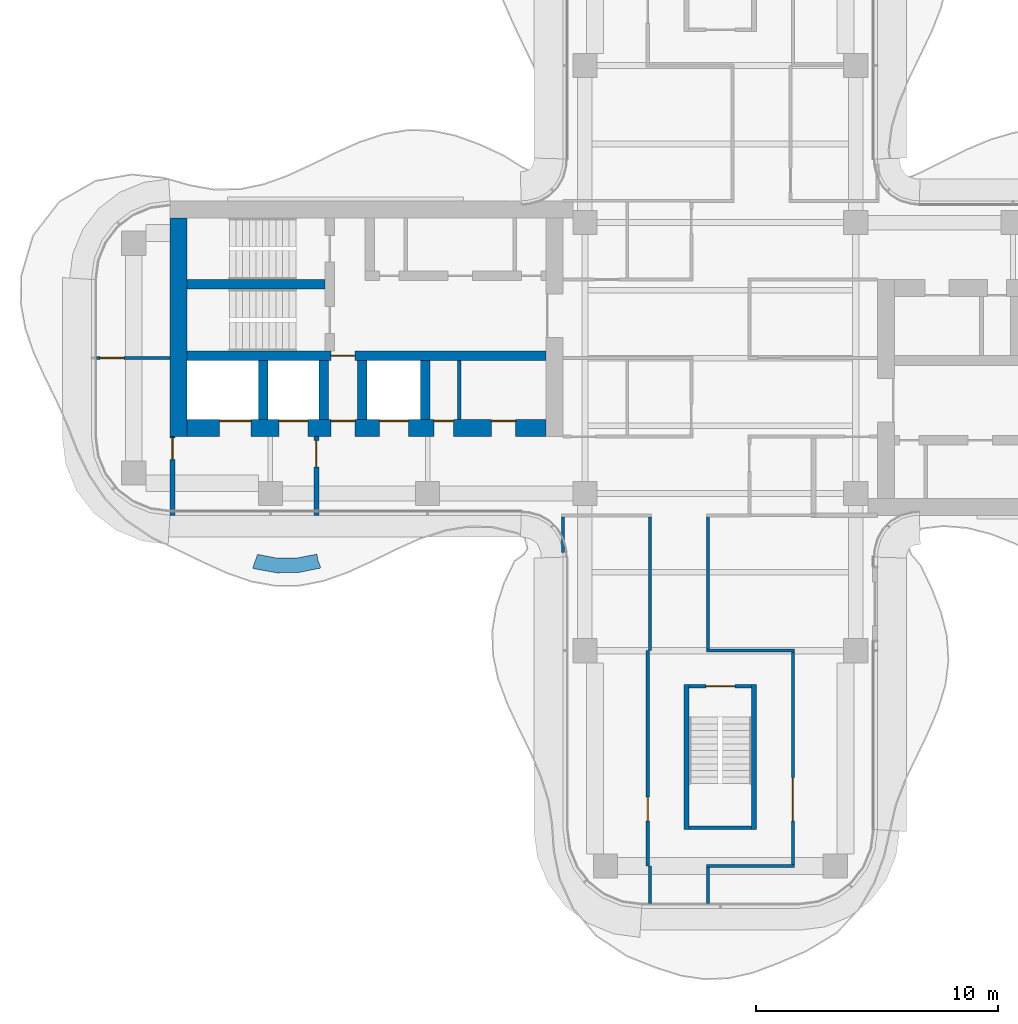
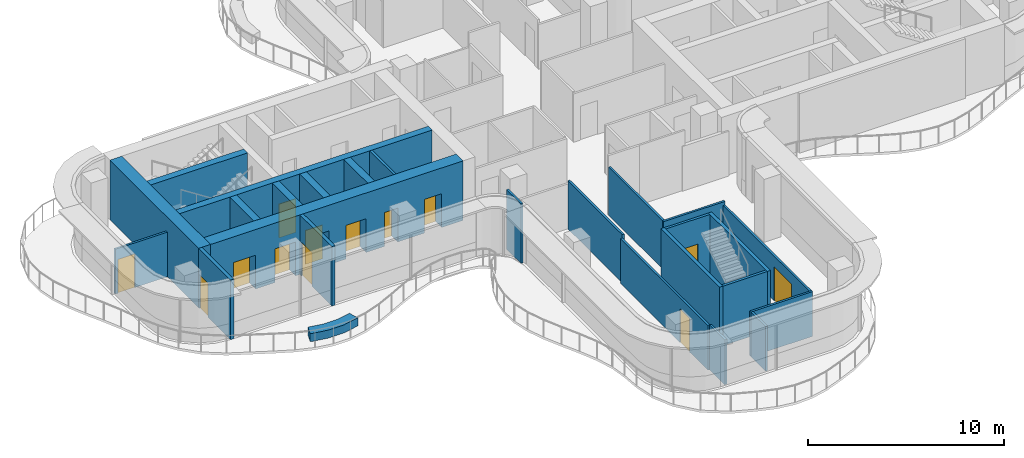
# One storey, part 11 of 16: 26 walls, 13 doors, 13 openings.
"""IFC4 building model written with IfcOpenShell, lengths in metres."""

from ifc_helpers import new_model, si_unit, direction, frame, frame_2d, origin, place, context, subcontext, project, spatial, polyline, rectangle, outline, extrude, source, transform, mapped, material, layer, layer_set, type_object, element, fill, save


model = new_model("IFC4")

# Units and contexts
model_context = context("Model", 3, precision=1e-05, world=origin(), true_north=direction((0.0, 1.0)))
body_context = subcontext(model_context, "Body", "Model", "MODEL_VIEW")
ifc_project = project(units=[si_unit("LENGTHUNIT", "METRE"), si_unit("AREAUNIT", "SQUARE_METRE"), si_unit("VOLUMEUNIT", "CUBIC_METRE"), si_unit("PLANEANGLEUNIT", "RADIAN"), si_unit("MASSUNIT", "GRAM", prefix="KILO")], contexts=[model_context])

# Site, building, storey
site_placement = place(None, origin())
site = spatial("IfcSite", under=ifc_project, at=site_placement, CompositionType="ELEMENT")
building_placement = place(site_placement, origin())
building = spatial("IfcBuilding", under=site, at=building_placement, Name="Trellis Farm Tower", CompositionType="ELEMENT")
storey_placement = place(building_placement, frame((0.0, 0.0, 314.5)))
storey = spatial("IfcBuildingStorey", under=building, at=storey_placement, Name="L71", CompositionType="ELEMENT", Elevation=314.5)

# Walls
ifc_material_1 = material(Name="Sandstone faced masonry planter", Category="masonry")
ifc_layer_1 = layer(ifc_material_1, 0.60009765625)
ifc_layer_set_1 = layer_set([ifc_layer_1], Name="PLANTER BED 600")
wall_type_1 = type_object("IfcWallType", Name="PLANTER BED 600", PredefinedType="USERDEFINED", material=ifc_layer_set_1)
wall_1_placement = place(storey_placement, origin())
element("IfcWall", 1, at=wall_1_placement, inside=storey, type_object=wall_type_1, Name="PLANTER bed", ObjectType="PLANTER", PredefinedType="USERDEFINED", context=body_context, shape_type="SweptSolid", body=[
    extrude(outline(polyline([(-16.517578125, -8.6826171875), (-17.452880859375, -8.87060546875), (-18.346435546875, -8.877685546875), (-19.222412109375, -8.720703125), (-19.330078125, -8.68408203125), (-19.13720703125, -8.115966796875), (-18.29541015625, -8.277099609375), (-17.513671875, -8.27099609375), (-16.6806640625, -8.107421875), (-16.651611328125, -8.25439453125), (-16.668212890625, -8.259033203125), (-16.517578125, -8.6826171875)])), origin(), (0.0, 0.0, 1.0), 0.5),
])
ifc_material_2 = material(Name="Concrete C50/60", Category="concrete")
ifc_layer_2 = layer(ifc_material_2, 0.699951171875)
ifc_layer_set_2 = layer_set([ifc_layer_2], Name="CORE OUTER WALL 700 CONCRETE C50/60")
wall_type_2 = type_object("IfcWallType", Name="CORE OUTER WALL 700 CONCRETE C50/60", PredefinedType="SHEAR", material=ifc_layer_set_2)
shared_shape_1 = source(origin(), body_context, "Body", "SweptSolid", [
    extrude(rectangle(XDim=9.050048828125, YDim=0.699951171875, at=frame_2d((4.52490234375, 0.0))), origin(), (0.0, 0.0, 1.0), 3.699951171875),
])
wall_2_placement = place(storey_placement, frame((-22.39990234375, 5.800048828125, 0.0), z_axis=(0.0, 0.0, 1.0), x_axis=(0.0, -1.0, 0.0)))
element("IfcWall", 2, at=wall_2_placement, inside=storey, type_object=wall_type_2, Name="Core wall", PredefinedType="SHEAR", context=body_context, shape_type="MappedRepresentation", body=[
    mapped(shared_shape_1, transform((0.0, 0.0, 0.0))),
])
ifc_layer_3 = layer(ifc_material_2, 0.39990234375)
ifc_layer_set_3 = layer_set([ifc_layer_3], Name="CORE INNER WALL 400 CONCRETE C50/60")
wall_type_3 = type_object("IfcWallType", Name="CORE INNER WALL 400 CONCRETE C50/60", PredefinedType="SHEAR", material=ifc_layer_set_3)
shared_shape_2 = source(origin(), body_context, "Body", "SweptSolid", [
    extrude(rectangle(XDim=2.449951171875, YDim=0.39990234375, at=frame_2d((1.22509765625, 0.0))), origin(), (0.0, 0.0, 1.0), 3.699951171875),
])
for number, where, z_axis, x_axis, name in (
    (3, (-12.199951171875, -0.10009765625, 0.0), (0.0, 0.0, 1.0), (0.0, -1.0, 0.0), "Core wall"),
    (4, (-14.800048828125, -0.10009765625, 0.0), (0.0, 0.0, 1.0), (0.0, -1.0, 0.0), "Core wall"),
    (5, (-16.39990234375, -0.10009765625, 0.0), (0.0, 0.0, 1.0), (0.0, -1.0, 0.0), "Core wall"),
    (6, (-18.89990234375, -0.10009765625, 0.0), (0.0, 0.0, 1.0), (0.0, -1.0, 0.0), "Core wall"),
):
    element("IfcWall", number, at=place(storey_placement, frame(where, z_axis=z_axis, x_axis=x_axis)), inside=storey, type_object=wall_type_3, Name=name, PredefinedType="SHEAR", context=body_context, shape_type="MappedRepresentation", body=[
        mapped(shared_shape_2, transform((0.0, 0.0, 0.0))),
    ])

# Wall, opening, door
ifc_material_3 = material(Name="Masonry blockwork", Category="masonry")
ifc_layer_4 = layer(ifc_material_3, 0.199951171875)
ifc_layer_set_4 = layer_set([ifc_layer_4], Name="FIRE LOBBY PARTITION 200 BLOCKWORK")
wall_type_4 = type_object("IfcWallType", Name="FIRE LOBBY PARTITION 200 BLOCKWORK", PredefinedType="PARTITIONING", material=ifc_layer_set_4)
shared_shape_3 = source(origin(), body_context, "Body", "SweptSolid", [
    extrude(rectangle(XDim=3.25, YDim=0.199951171875, at=frame_2d((1.625, 0.0))), origin(), (0.0, 0.0, 1.0), 3.699951171875),
])
wall_3_placement = place(storey_placement, frame((-16.699951171875, -3.25, 0.0), z_axis=(0.0, 0.0, 1.0), x_axis=(0.0, -1.0, 0.0)))
wall_3 = element("IfcWall", 7, at=wall_3_placement, inside=storey, type_object=wall_type_4, Name="Fire-fighting lobby partition", PredefinedType="PARTITIONING", context=body_context, shape_type="MappedRepresentation", body=[
    mapped(shared_shape_3, transform((0.0, 0.0, 0.0))),
])
shared_shape_4 = source(origin(), body_context, "Body", "SweptSolid", [
    extrude(rectangle(XDim=1.10009765625, YDim=2.10009765625, at=frame_2d((0.550048828125, 1.050048828125))), frame((0.0, 0.110107421875, 0.0), z_axis=(0.0, -1.0, 0.0), x_axis=(1.0, 0.0, 0.0)), (0.0, 0.0, 1.0), 0.22021484375),
])
opening_1_placement = place(wall_3_placement, frame((0.14990234375, 0.0, 0.0)))
opening_1 = element("IfcOpeningElement", 8, at=opening_1_placement, cuts=wall_3, Name="Opening DC93", PredefinedType="OPENING", context=body_context, shape_type="MappedRepresentation", body=[
    mapped(shared_shape_4, transform((0.0, 0.0, 0.0))),
])
ifc_material_4 = material(Name="Steel", Category="steel")
door_type_1 = type_object("IfcDoorType", Name="CORE FIRE DOOR 1100 X 2100", OperationType="NOTDEFINED", PredefinedType="DOOR", material=ifc_material_4)
shared_shape_5 = source(origin(), body_context, "Body", "SweptSolid", [
    extrude(rectangle(XDim=1.10009765625, YDim=2.10009765625, at=frame_2d((0.550048828125, 1.050048828125))), frame((0.0, 0.02490234375, 0.0), z_axis=(0.0, -1.0, 0.0), x_axis=(1.0, 0.0, 0.0)), (0.0, 0.0, 1.0), 0.050048828125),
])
door_1_placement = place(opening_1_placement, origin())
door_1 = element("IfcDoor", 9, at=door_1_placement, inside=storey, type_object=door_type_1, Name="Core door", OperationType="SINGLE_SWING_RIGHT", OverallHeight=2.10009765625, OverallWidth=1.10009765625, PredefinedType="DOOR", context=body_context, shape_type="MappedRepresentation", body=[
    mapped(shared_shape_5, transform((0.0, 0.0, 0.0))),
])
fill(opening_1, door_1)

wall_4_placement = place(storey_placement, frame((-22.64990234375, -3.25, 0.0), z_axis=(0.0, 0.0, 1.0), x_axis=(0.0, -1.0, 0.0)))
wall_4 = element("IfcWall", 10, at=wall_4_placement, inside=storey, type_object=wall_type_4, Name="Fire-fighting lobby partition", PredefinedType="PARTITIONING", context=body_context, shape_type="MappedRepresentation", body=[
    mapped(shared_shape_3, transform((0.0, 0.0, 0.0))),
])
shared_shape_6 = source(origin(), body_context, "Body", "SweptSolid", [
    extrude(rectangle(XDim=0.89990234375, YDim=2.10009765625, at=frame_2d((0.449951171875, 1.050048828125))), frame((0.0, 0.110107421875, 0.0), z_axis=(0.0, -1.0, 0.0), x_axis=(1.0, 0.0, 0.0)), (0.0, 0.0, 1.0), 0.22021484375),
])
opening_2_placement = place(wall_4_placement, frame((0.050048828125, 0.0, 0.0)))
opening_2 = element("IfcOpeningElement", 11, at=opening_2_placement, cuts=wall_4, Name="Opening DC94", PredefinedType="OPENING", context=body_context, shape_type="MappedRepresentation", body=[
    mapped(shared_shape_6, transform((0.0, 0.0, 0.0))),
])
door_type_2 = type_object("IfcDoorType", Name="CORE FIRE DOOR 900 X 2100", OperationType="NOTDEFINED", PredefinedType="DOOR", material=ifc_material_4)
shared_shape_7 = source(origin(), body_context, "Body", "SweptSolid", [
    extrude(rectangle(XDim=0.89990234375, YDim=2.10009765625, at=frame_2d((0.449951171875, 1.050048828125))), frame((0.0, 0.02490234375, 0.0), z_axis=(0.0, -1.0, 0.0), x_axis=(1.0, 0.0, 0.0)), (0.0, 0.0, 1.0), 0.050048828125),
])
door_2_placement = place(opening_2_placement, origin())
door_2 = element("IfcDoor", 12, at=door_2_placement, inside=storey, type_object=door_type_2, Name="Core door", OperationType="SINGLE_SWING_RIGHT", OverallHeight=2.10009765625, OverallWidth=0.89990234375, PredefinedType="DOOR", context=body_context, shape_type="MappedRepresentation", body=[
    mapped(shared_shape_7, transform((0.0, 0.0, 0.0))),
])
fill(opening_2, door_2)

# Wall, openings, doors
shared_shape_8 = source(origin(), body_context, "Body", "SweptSolid", [
    extrude(rectangle(XDim=14.85009765625, YDim=0.699951171875, at=frame_2d((7.425048828125, 0.0))), origin(), (0.0, 0.0, 1.0), 3.699951171875),
])
wall_5_placement = place(storey_placement, frame((-7.199951171875, -2.89990234375, 0.0), z_axis=(0.0, 0.0, 1.0), x_axis=(-1.0, 0.0, 0.0)))
wall_5 = element("IfcWall", 13, at=wall_5_placement, inside=storey, type_object=wall_type_2, Name="Core wall", PredefinedType="SHEAR", context=body_context, shape_type="MappedRepresentation", body=[
    mapped(shared_shape_8, transform((0.0, 0.0, 0.0))),
])
shared_shape_9 = source(origin(), body_context, "Body", "SweptSolid", [
    extrude(rectangle(XDim=1.199951171875, YDim=2.10009765625, at=frame_2d((0.60009765625, 1.050048828125))), frame((0.0, 0.360107421875, 0.0), z_axis=(0.0, -1.0, 0.0), x_axis=(1.0, 0.0, 0.0)), (0.0, 0.0, 1.0), 0.72021484375),
])
opening_3_placement = place(wall_5_placement, frame((5.699951171875, 0.0, 0.0)))
opening_3 = element("IfcOpeningElement", 14, at=opening_3_placement, cuts=wall_5, Name="Opening LD14", PredefinedType="OPENING", context=body_context, shape_type="MappedRepresentation", body=[
    mapped(shared_shape_9, transform((0.0, 0.0, 0.0))),
])
shared_shape_10 = source(origin(), body_context, "Body", "SweptSolid", [
    extrude(rectangle(XDim=1.300048828125, YDim=2.10009765625, at=frame_2d((0.64990234375, 1.050048828125))), frame((0.0, 0.360107421875, 0.0), z_axis=(0.0, -1.0, 0.0), x_axis=(1.0, 0.0, 0.0)), (0.0, 0.0, 1.0), 0.72021484375),
])
opening_4_placement = place(wall_5_placement, frame((12.199951171875, 0.0, 0.0)))
opening_4 = element("IfcOpeningElement", 15, at=opening_4_placement, cuts=wall_5, Name="Opening LD15", PredefinedType="OPENING", context=body_context, shape_type="MappedRepresentation", body=[
    mapped(shared_shape_10, transform((0.0, 0.0, 0.0))),
])
opening_5_placement = place(wall_5_placement, frame((9.85009765625, 0.0, 0.0)))
opening_5 = element("IfcOpeningElement", 16, at=opening_5_placement, cuts=wall_5, Name="Opening LD16", PredefinedType="OPENING", context=body_context, shape_type="MappedRepresentation", body=[
    mapped(shared_shape_9, transform((0.0, 0.0, 0.0))),
])
shared_shape_11 = source(origin(), body_context, "Body", "SweptSolid", [
    extrude(rectangle(XDim=1.0, YDim=2.10009765625, at=frame_2d((0.5, 1.050048828125))), frame((0.0, 0.360107421875, 0.0), z_axis=(0.0, -1.0, 0.0), x_axis=(1.0, 0.0, 0.0)), (0.0, 0.0, 1.0), 0.72021484375),
])
opening_6_placement = place(wall_5_placement, frame((7.89990234375, 0.0, 0.0)))
opening_6 = element("IfcOpeningElement", 17, at=opening_6_placement, cuts=wall_5, Name="Opening DC92", PredefinedType="OPENING", context=body_context, shape_type="MappedRepresentation", body=[
    mapped(shared_shape_11, transform((0.0, 0.0, 0.0))),
])
opening_7_placement = place(wall_5_placement, frame((1.262451171875, 0.0, 0.0)))
opening_7 = element("IfcOpeningElement", 18, at=opening_7_placement, cuts=wall_5, Name="Opening DC100", PredefinedType="OPENING", context=body_context, shape_type="MappedRepresentation", body=[
    mapped(shared_shape_11, transform((0.0, 0.0, 0.0))),
])
shared_shape_12 = source(origin(), body_context, "Body", "SweptSolid", [
    extrude(rectangle(XDim=0.800048828125, YDim=2.10009765625, at=frame_2d((0.39990234375, 1.050048828125))), frame((0.0, 0.360107421875, 0.0), z_axis=(0.0, -1.0, 0.0), x_axis=(1.0, 0.0, 0.0)), (0.0, 0.0, 1.0), 0.72021484375),
])
opening_8_placement = place(wall_5_placement, frame((3.83740234375, 0.0, 0.0)))
opening_8 = element("IfcOpeningElement", 19, at=opening_8_placement, cuts=wall_5, Name="Opening DC101", PredefinedType="OPENING", context=body_context, shape_type="MappedRepresentation", body=[
    mapped(shared_shape_12, transform((0.0, 0.0, 0.0))),
])
door_type_3 = type_object("IfcDoorType", Name="CORE FIRE DOOR 1000 X 2100", OperationType="NOTDEFINED", PredefinedType="DOOR", material=ifc_material_4)
shared_shape_13 = source(origin(), body_context, "Body", "SweptSolid", [
    extrude(rectangle(XDim=1.0, YDim=2.10009765625, at=frame_2d((0.5, 1.050048828125))), frame((0.0, -0.27490234375, 0.0), z_axis=(0.0, -1.0, 0.0), x_axis=(1.0, 0.0, 0.0)), (0.0, 0.0, 1.0), 0.050048828125),
])
door_3_placement = place(opening_6_placement, origin())
door_3 = element("IfcDoor", 20, at=door_3_placement, inside=storey, type_object=door_type_3, Name="Core door", OperationType="SINGLE_SWING_LEFT", OverallHeight=2.10009765625, OverallWidth=1.0, PredefinedType="DOOR", context=body_context, shape_type="MappedRepresentation", body=[
    mapped(shared_shape_13, transform((0.0, 0.0, 0.0))),
])
fill(opening_6, door_3)
door_4_placement = place(opening_7_placement, origin())
door_4 = element("IfcDoor", 21, at=door_4_placement, inside=storey, type_object=door_type_3, Name="Core door", OperationType="SINGLE_SWING_RIGHT", OverallHeight=2.10009765625, OverallWidth=1.0, PredefinedType="DOOR", context=body_context, shape_type="MappedRepresentation", body=[
    mapped(shared_shape_13, transform((0.0, 0.0, 0.0))),
])
fill(opening_7, door_4)
ifc_material_5 = material(Name="Stainless steel", Category="steel")
door_type_4 = type_object("IfcDoorType", Name="LIFT LANDING DOOR 1300 X 2100", OperationType="DOUBLE_DOOR_SLIDING", PredefinedType="DOOR", material=ifc_material_5)
shared_shape_14 = source(origin(), body_context, "Body", "SweptSolid", [
    extrude(rectangle(XDim=1.300048828125, YDim=2.10009765625, at=frame_2d((0.64990234375, 1.050048828125))), frame((0.0, -0.27490234375, 0.0), z_axis=(0.0, -1.0, 0.0), x_axis=(1.0, 0.0, 0.0)), (0.0, 0.0, 1.0), 0.050048828125),
])
door_5_placement = place(opening_4_placement, origin())
door_5 = element("IfcDoor", 22, at=door_5_placement, inside=storey, type_object=door_type_4, Name="Lift landing door", OperationType="DOUBLE_DOOR_SLIDING", OverallHeight=2.10009765625, OverallWidth=1.300048828125, PredefinedType="DOOR", context=body_context, shape_type="MappedRepresentation", body=[
    mapped(shared_shape_14, transform((0.0, 0.0, 0.0))),
])
fill(opening_4, door_5)
door_type_5 = type_object("IfcDoorType", Name="LIFT LANDING DOOR 1200 X 2100", OperationType="DOUBLE_DOOR_SLIDING", PredefinedType="DOOR", material=ifc_material_5)
shared_shape_15 = source(origin(), body_context, "Body", "SweptSolid", [
    extrude(rectangle(XDim=1.199951171875, YDim=2.10009765625, at=frame_2d((0.60009765625, 1.050048828125))), frame((0.0, -0.27490234375, 0.0), z_axis=(0.0, -1.0, 0.0), x_axis=(1.0, 0.0, 0.0)), (0.0, 0.0, 1.0), 0.050048828125),
])
door_6_placement = place(opening_3_placement, origin())
door_6 = element("IfcDoor", 23, at=door_6_placement, inside=storey, type_object=door_type_5, Name="Lift landing door", OperationType="DOUBLE_DOOR_SLIDING", OverallHeight=2.10009765625, OverallWidth=1.199951171875, PredefinedType="DOOR", context=body_context, shape_type="MappedRepresentation", body=[
    mapped(shared_shape_15, transform((0.0, 0.0, 0.0))),
])
fill(opening_3, door_6)
door_7_placement = place(opening_5_placement, origin())
door_7 = element("IfcDoor", 24, at=door_7_placement, inside=storey, type_object=door_type_5, Name="Lift landing door", OperationType="DOUBLE_DOOR_SLIDING", OverallHeight=2.10009765625, OverallWidth=1.199951171875, PredefinedType="DOOR", context=body_context, shape_type="MappedRepresentation", body=[
    mapped(shared_shape_15, transform((0.0, 0.0, 0.0))),
])
fill(opening_5, door_7)
door_type_6 = type_object("IfcDoorType", Name="CORE FIRE DOOR 800 X 2100", OperationType="NOTDEFINED", PredefinedType="DOOR", material=ifc_material_4)
shared_shape_16 = source(origin(), body_context, "Body", "SweptSolid", [
    extrude(rectangle(XDim=0.800048828125, YDim=2.10009765625, at=frame_2d((0.39990234375, 1.050048828125))), frame((0.0, -0.27490234375, 0.0), z_axis=(0.0, -1.0, 0.0), x_axis=(1.0, 0.0, 0.0)), (0.0, 0.0, 1.0), 0.050048828125),
])
door_8_placement = place(opening_8_placement, origin())
door_8 = element("IfcDoor", 25, at=door_8_placement, inside=storey, type_object=door_type_6, Name="Core door", OperationType="SINGLE_SWING_LEFT", OverallHeight=2.10009765625, OverallWidth=0.800048828125, PredefinedType="DOOR", context=body_context, shape_type="MappedRepresentation", body=[
    mapped(shared_shape_16, transform((0.0, 0.0, 0.0))),
])
fill(opening_8, door_8)

# Wall, opening, door
shared_shape_17 = source(origin(), body_context, "Body", "SweptSolid", [
    extrude(rectangle(XDim=14.85009765625, YDim=0.39990234375, at=frame_2d((7.425048828125, 0.0))), origin(), (0.0, 0.0, 1.0), 3.699951171875),
])
wall_6_placement = place(storey_placement, frame((-7.199951171875, 0.10009765625, 0.0), z_axis=(0.0, 0.0, 1.0), x_axis=(-1.0, 0.0, 0.0)))
wall_6 = element("IfcWall", 26, at=wall_6_placement, inside=storey, type_object=wall_type_3, Name="Core wall", PredefinedType="SHEAR", context=body_context, shape_type="MappedRepresentation", body=[
    mapped(shared_shape_17, transform((0.0, 0.0, 0.0))),
])
shared_shape_18 = source(origin(), body_context, "Body", "SweptSolid", [
    extrude(rectangle(XDim=1.0, YDim=2.10009765625, at=frame_2d((0.5, 1.050048828125))), frame((0.0, 0.2099609375, 0.0), z_axis=(0.0, -1.0, 0.0), x_axis=(1.0, 0.0, 0.0)), (0.0, 0.0, 1.0), 0.419921875),
])
opening_9_placement = place(wall_6_placement, frame((7.89990234375, 0.0, 0.0)))
opening_9 = element("IfcOpeningElement", 27, at=opening_9_placement, cuts=wall_6, Name="Opening DC91", PredefinedType="OPENING", context=body_context, shape_type="MappedRepresentation", body=[
    mapped(shared_shape_18, transform((0.0, 0.0, 0.0))),
])
shared_shape_19 = source(origin(), body_context, "Body", "SweptSolid", [
    extrude(rectangle(XDim=1.0, YDim=2.10009765625, at=frame_2d((0.5, 1.050048828125))), frame((0.0, 0.02490234375, 0.0), z_axis=(0.0, -1.0, 0.0), x_axis=(1.0, 0.0, 0.0)), (0.0, 0.0, 1.0), 0.050048828125),
])
door_9_placement = place(opening_9_placement, origin())
door_9 = element("IfcDoor", 28, at=door_9_placement, inside=storey, type_object=door_type_3, Name="Core door", OperationType="SINGLE_SWING_RIGHT", OverallHeight=2.10009765625, OverallWidth=1.0, PredefinedType="DOOR", context=body_context, shape_type="MappedRepresentation", body=[
    mapped(shared_shape_19, transform((0.0, 0.0, 0.0))),
])
fill(opening_9, door_9)

# Walls
shared_shape_20 = source(origin(), body_context, "Body", "SweptSolid", [
    extrude(rectangle(XDim=5.699951171875, YDim=0.39990234375, at=frame_2d((2.85009765625, 0.0))), origin(), (0.0, 0.0, 1.0), 3.699951171875),
])
wall_7_placement = place(storey_placement, frame((-16.35009765625, 3.050048828125, 0.0), z_axis=(0.0, 0.0, 1.0), x_axis=(-1.0, 0.0, 0.0)))
element("IfcWall", 29, at=wall_7_placement, inside=storey, type_object=wall_type_3, Name="Core wall", PredefinedType="SHEAR", context=body_context, shape_type="MappedRepresentation", body=[
    mapped(shared_shape_20, transform((0.0, 0.0, 0.0))),
])
ifc_layer_5 = layer(ifc_material_3, 0.14990234375)
ifc_layer_set_5 = layer_set([ifc_layer_5], Name="CORE PARTITION 150 BLOCKWORK")
wall_type_5 = type_object("IfcWallType", Name="CORE PARTITION 150 BLOCKWORK", PredefinedType="PARTITIONING", material=ifc_layer_set_5)
shared_shape_21 = source(origin(), body_context, "Body", "SweptSolid", [
    extrude(rectangle(XDim=2.449951171875, YDim=0.14990234375, at=frame_2d((1.22509765625, 0.0))), origin(), (0.0, 0.0, 1.0), 3.699951171875),
])
wall_8_placement = place(storey_placement, frame((-10.800048828125, -0.10009765625, 0.0), z_axis=(0.0, 0.0, 1.0), x_axis=(0.0, -1.0, 0.0)))
element("IfcWall", 30, at=wall_8_placement, inside=storey, type_object=wall_type_5, Name="Core room partition", PredefinedType="PARTITIONING", context=body_context, shape_type="MappedRepresentation", body=[
    mapped(shared_shape_21, transform((0.0, 0.0, 0.0))),
])
ifc_layer_6 = layer(ifc_material_2, 0.199951171875)
ifc_layer_set_6 = layer_set([ifc_layer_6], Name="CORE STAIR ENCLOSURE WALL 200 CONCRETE C50/60")
wall_type_6 = type_object("IfcWallType", Name="CORE STAIR ENCLOSURE WALL 200 CONCRETE C50/60", PredefinedType="SHEAR", material=ifc_layer_set_6)
shared_shape_22 = source(origin(), body_context, "Body", "SweptSolid", [
    extrude(rectangle(XDim=6.0, YDim=0.199951171875, at=frame_2d((3.0, 0.0))), origin(), (0.0, 0.0, 1.0), 3.699951171875),
])
for number, where, z_axis, x_axis, name in (
    (31, (1.39990234375, -13.5, 0.0), (0.0, 0.0, 1.0), (0.0, -1.0, 0.0), "Stair enclosure wall"),
    (32, (-1.39990234375, -13.5, 0.0), (0.0, 0.0, 1.0), (0.0, -1.0, 0.0), "Stair enclosure wall"),
):
    element("IfcWall", number, at=place(storey_placement, frame(where, z_axis=z_axis, x_axis=x_axis)), inside=storey, type_object=wall_type_6, Name=name, PredefinedType="SHEAR", context=body_context, shape_type="MappedRepresentation", body=[
        mapped(shared_shape_22, transform((0.0, 0.0, 0.0))),
    ])

# Wall, opening, door
ifc_layer_7 = layer(ifc_material_2, 0.14990234375)
ifc_layer_set_7 = layer_set([ifc_layer_7], Name="CORE STAIR ENCLOSURE WALL 150 CONCRETE C50/60")
wall_type_7 = type_object("IfcWallType", Name="CORE STAIR ENCLOSURE WALL 150 CONCRETE C50/60", PredefinedType="SHEAR", material=ifc_layer_set_7)
shared_shape_23 = source(origin(), body_context, "Body", "SweptSolid", [
    extrude(rectangle(XDim=2.60009765625, YDim=0.14990234375, at=frame_2d((1.300048828125, 0.0))), origin(), (0.0, 0.0, 1.0), 3.699951171875),
])
wall_9_placement = place(storey_placement, frame((1.300048828125, -13.574951171875, 0.0), z_axis=(0.0, 0.0, 1.0), x_axis=(-1.0, 0.0, 0.0)))
wall_9 = element("IfcWall", 33, at=wall_9_placement, inside=storey, type_object=wall_type_7, Name="Stair enclosure wall", PredefinedType="SHEAR", context=body_context, shape_type="MappedRepresentation", body=[
    mapped(shared_shape_23, transform((0.0, 0.0, 0.0))),
])
shared_shape_24 = source(origin(), body_context, "Body", "SweptSolid", [
    extrude(rectangle(XDim=1.199951171875, YDim=2.10009765625, at=frame_2d((0.60009765625, 1.050048828125))), frame((0.0, 0.0849609375, 0.0), z_axis=(0.0, -1.0, 0.0), x_axis=(1.0, 0.0, 0.0)), (0.0, 0.0, 1.0), 0.169921875),
])
opening_10_placement = place(wall_9_placement, frame((0.699951171875, 0.0, 0.0)))
opening_10 = element("IfcOpeningElement", 34, at=opening_10_placement, cuts=wall_9, Name="Opening DC174", PredefinedType="OPENING", context=body_context, shape_type="MappedRepresentation", body=[
    mapped(shared_shape_24, transform((0.0, 0.0, 0.0))),
])
door_type_7 = type_object("IfcDoorType", Name="CORE FIRE DOOR 1200 X 2100", OperationType="NOTDEFINED", PredefinedType="DOOR", material=ifc_material_4)
shared_shape_25 = source(origin(), body_context, "Body", "SweptSolid", [
    extrude(rectangle(XDim=1.199951171875, YDim=2.10009765625, at=frame_2d((0.60009765625, 1.050048828125))), frame((0.0, 0.02490234375, 0.0), z_axis=(0.0, -1.0, 0.0), x_axis=(1.0, 0.0, 0.0)), (0.0, 0.0, 1.0), 0.050048828125),
])
door_10_placement = place(opening_10_placement, origin())
door_10 = element("IfcDoor", 35, at=door_10_placement, inside=storey, type_object=door_type_7, Name="Core door", OperationType="SINGLE_SWING_RIGHT", OverallHeight=2.10009765625, OverallWidth=1.199951171875, PredefinedType="DOOR", context=body_context, shape_type="MappedRepresentation", body=[
    mapped(shared_shape_25, transform((0.0, 0.0, 0.0))),
])
fill(opening_10, door_10)

# Walls
wall_10_placement = place(storey_placement, frame((1.300048828125, -19.425048828125, 0.0), z_axis=(0.0, 0.0, 1.0), x_axis=(-1.0, 0.0, 0.0)))
element("IfcWall", 36, at=wall_10_placement, inside=storey, type_object=wall_type_7, Name="Stair enclosure wall", PredefinedType="SHEAR", context=body_context, shape_type="MappedRepresentation", body=[
    mapped(shared_shape_23, transform((0.0, 0.0, 0.0))),
])
ifc_material_6 = material(Name="Plasterboard on steel studs, mineral wool", Category="steel")
ifc_layer_8 = layer(ifc_material_6, 0.125)
ifc_layer_set_8 = layer_set([ifc_layer_8], Name="PARTITION 125 STUD EI 60")
wall_type_8 = type_object("IfcWallType", Name="PARTITION 125 STUD EI 60", PredefinedType="PARTITIONING", material=ifc_layer_set_8)
shared_shape_26 = source(origin(), body_context, "Body", "SweptSolid", [
    extrude(rectangle(XDim=5.47509765625, YDim=0.125, at=frame_2d((2.737548828125, 0.0))), origin(), (0.0, 0.0, 1.0), 2.99658203125),
])
wall_11_placement = place(storey_placement, frame((-0.5, -6.5625, 0.0), z_axis=(0.0, 0.0, 1.0), x_axis=(0.0, -1.0, 0.0)))
element("IfcWall", 37, at=wall_11_placement, inside=storey, type_object=wall_type_8, Name="Partition PW1", PredefinedType="PARTITIONING", context=body_context, shape_type="MappedRepresentation", body=[
    mapped(shared_shape_26, transform((0.0, 0.0, 0.0))),
])
shared_shape_27 = source(origin(), body_context, "Body", "SweptSolid", [
    extrude(rectangle(XDim=5.53759765625, YDim=0.125, at=frame_2d((2.768798828125, 0.0))), origin(), (0.0, 0.0, 1.0), 2.99658203125),
])
wall_12_placement = place(storey_placement, frame((-2.89990234375, -12.10009765625, 0.0), z_axis=(0.0, 0.0, 1.0), x_axis=(0.0, 1.0, 0.0)))
element("IfcWall", 38, at=wall_12_placement, inside=storey, type_object=wall_type_8, Name="Partition PW1", PredefinedType="PARTITIONING", context=body_context, shape_type="MappedRepresentation", body=[
    mapped(shared_shape_27, transform((0.0, 0.0, 0.0))),
])
shared_shape_28 = source(origin(), body_context, "Body", "SweptSolid", [
    extrude(rectangle(XDim=1.468994140625, YDim=0.125, at=frame_2d((0.734375, 0.0))), origin(), (0.0, 0.0, 1.0), 3.699951171875),
])
wall_13_placement = place(storey_placement, frame((-6.5, -6.5625, 0.0), z_axis=(0.0, 0.0, 1.0), x_axis=(0.0, -1.0, 0.0)))
element("IfcWall", 39, at=wall_13_placement, inside=storey, type_object=wall_type_8, Name="Partition PW1", PredefinedType="PARTITIONING", context=body_context, shape_type="MappedRepresentation", body=[
    mapped(shared_shape_28, transform((0.0, 0.0, 0.0))),
])
shared_shape_29 = source(origin(), body_context, "Body", "SweptSolid", [
    extrude(rectangle(XDim=3.625, YDim=0.125, at=frame_2d((1.8125, 0.0))), origin(), (0.0, 0.0, 1.0), 2.99658203125),
])
wall_14_placement = place(storey_placement, frame((-0.5625, -12.10009765625, 0.0), z_axis=(0.0, 0.0, 1.0), x_axis=(1.0, 0.0, 0.0)))
element("IfcWall", 40, at=wall_14_placement, inside=storey, type_object=wall_type_8, Name="Partition PW1", PredefinedType="PARTITIONING", context=body_context, shape_type="MappedRepresentation", body=[
    mapped(shared_shape_29, transform((0.0, 0.0, 0.0))),
])

# Wall, opening, door
shared_shape_30 = source(origin(), body_context, "Body", "SweptSolid", [
    extrude(rectangle(XDim=8.77490234375, YDim=0.125, at=frame_2d((4.387451171875, 0.0))), origin(), (0.0, 0.0, 1.0), 2.780029296875),
])
wall_15_placement = place(storey_placement, frame((3.0, -12.16259765625, 0.0), z_axis=(0.0, 0.0, 1.0), x_axis=(0.0, -1.0, 0.0)))
wall_15 = element("IfcWall", 41, at=wall_15_placement, inside=storey, type_object=wall_type_8, Name="Partition PW1", PredefinedType="PARTITIONING", context=body_context, shape_type="MappedRepresentation", body=[
    mapped(shared_shape_30, transform((0.0, 0.0, 0.0))),
])
shared_shape_31 = source(origin(), body_context, "Body", "SweptSolid", [
    extrude(rectangle(XDim=1.800048828125, YDim=2.10009765625, at=frame_2d((0.89990234375, 1.050048828125))), frame((0.0, 0.072509765625, 0.0), z_axis=(0.0, -1.0, 0.0), x_axis=(1.0, 0.0, 0.0)), (0.0, 0.0, 1.0), 0.14501953125),
])
opening_11_placement = place(wall_15_placement, frame((5.1875, 0.0, 0.0)))
opening_11 = element("IfcOpeningElement", 42, at=opening_11_placement, cuts=wall_15, Name="Opening D201", PredefinedType="OPENING", context=body_context, shape_type="MappedRepresentation", body=[
    mapped(shared_shape_31, transform((0.0, 0.0, 0.0))),
])
ifc_material_7 = material(Name="Fire-rated timber door leaf in a hollow metal frame", Category="wood")
door_type_8 = type_object("IfcDoorType", Name="DOOR PAIR 1800x2100 FD30S", OperationType="NOTDEFINED", PredefinedType="DOOR", material=ifc_material_7)
shared_shape_32 = source(origin(), body_context, "Body", "SweptSolid", [
    extrude(rectangle(XDim=1.800048828125, YDim=2.10009765625, at=frame_2d((0.89990234375, 1.050048828125))), frame((0.0, 0.02490234375, 0.0), z_axis=(0.0, -1.0, 0.0), x_axis=(1.0, 0.0, 0.0)), (0.0, 0.0, 1.0), 0.050048828125),
])
door_11_placement = place(opening_11_placement, origin())
door_11 = element("IfcDoor", 43, at=door_11_placement, inside=storey, type_object=door_type_8, Name="Door D201", OperationType="DOUBLE_DOOR_SINGLE_SWING", OverallHeight=2.10009765625, OverallWidth=1.800048828125, PredefinedType="DOOR", context=body_context, shape_type="MappedRepresentation", body=[
    mapped(shared_shape_32, transform((0.0, 0.0, 0.0))),
])
fill(opening_11, door_11)

# Walls
shared_shape_33 = source(origin(), body_context, "Body", "SweptSolid", [
    extrude(rectangle(XDim=1.487548828125, YDim=0.125, at=frame_2d((0.74365234375, 0.0))), origin(), (0.0, 0.0, 1.0), 2.780029296875),
])
wall_16_placement = place(storey_placement, frame((-0.5, -21.0625, 0.0), z_axis=(0.0, 0.0, 1.0), x_axis=(0.0, -1.0, 0.0)))
element("IfcWall", 44, at=wall_16_placement, inside=storey, type_object=wall_type_8, Name="Partition PW1", PredefinedType="PARTITIONING", context=body_context, shape_type="MappedRepresentation", body=[
    mapped(shared_shape_33, transform((0.0, 0.0, 0.0))),
])
shared_shape_34 = source(origin(), body_context, "Body", "SweptSolid", [
    extrude(rectangle(XDim=1.550048828125, YDim=0.125, at=frame_2d((0.77490234375, 0.0))), origin(), (0.0, 0.0, 1.0), 2.780029296875),
])
wall_17_placement = place(storey_placement, frame((-2.89990234375, -22.550048828125, 0.0), z_axis=(0.0, 0.0, 1.0), x_axis=(0.0, 1.0, 0.0)))
element("IfcWall", 45, at=wall_17_placement, inside=storey, type_object=wall_type_8, Name="Partition PW1", PredefinedType="PARTITIONING", context=body_context, shape_type="MappedRepresentation", body=[
    mapped(shared_shape_34, transform((0.0, 0.0, 0.0))),
])

# Wall, opening, door
shared_shape_35 = source(origin(), body_context, "Body", "SweptSolid", [
    extrude(rectangle(XDim=8.89990234375, YDim=0.125, at=frame_2d((4.449951171875, 0.0))), origin(), (0.0, 0.0, 1.0), 2.780029296875),
])
wall_18_placement = place(storey_placement, frame((-3.0, -21.0, 0.0), z_axis=(0.0, 0.0, 1.0), x_axis=(0.0, 1.0, 0.0)))
wall_18 = element("IfcWall", 46, at=wall_18_placement, inside=storey, type_object=wall_type_8, Name="Partition PW1", PredefinedType="PARTITIONING", context=body_context, shape_type="MappedRepresentation", body=[
    mapped(shared_shape_35, transform((0.0, 0.0, 0.0))),
])
shared_shape_36 = source(origin(), body_context, "Body", "SweptSolid", [
    extrude(rectangle(XDim=1.0, YDim=2.10009765625, at=frame_2d((0.5, 1.050048828125))), frame((0.0, 0.072509765625, 0.0), z_axis=(0.0, -1.0, 0.0), x_axis=(1.0, 0.0, 0.0)), (0.0, 0.0, 1.0), 0.14501953125),
])
opening_12_placement = place(wall_18_placement, frame((1.85009765625, 0.0, 0.0)))
opening_12 = element("IfcOpeningElement", 47, at=opening_12_placement, cuts=wall_18, Name="Opening D101", PredefinedType="OPENING", context=body_context, shape_type="MappedRepresentation", body=[
    mapped(shared_shape_36, transform((0.0, 0.0, 0.0))),
])
door_type_9 = type_object("IfcDoorType", Name="DOOR 1000x2100 FD30S", OperationType="NOTDEFINED", PredefinedType="DOOR", material=ifc_material_7)
door_12_placement = place(opening_12_placement, origin())
door_12 = element("IfcDoor", 48, at=door_12_placement, inside=storey, type_object=door_type_9, Name="Door D101", OperationType="SINGLE_SWING_LEFT", OverallHeight=2.10009765625, OverallWidth=1.0, PredefinedType="DOOR", context=body_context, shape_type="MappedRepresentation", body=[
    mapped(shared_shape_19, transform((0.0, 0.0, 0.0))),
])
fill(opening_12, door_12)

# Wall
shared_shape_37 = source(origin(), body_context, "Body", "SweptSolid", [
    extrude(rectangle(XDim=3.625, YDim=0.125, at=frame_2d((1.8125, 0.0))), origin(), (0.0, 0.0, 1.0), 2.780029296875),
])
wall_19_placement = place(storey_placement, frame((3.0625, -21.0, 0.0), z_axis=(0.0, 0.0, 1.0), x_axis=(-1.0, 0.0, 0.0)))
element("IfcWall", 49, at=wall_19_placement, inside=storey, type_object=wall_type_8, Name="Partition PW1", PredefinedType="PARTITIONING", context=body_context, shape_type="MappedRepresentation", body=[
    mapped(shared_shape_37, transform((0.0, 0.0, 0.0))),
])

# Wall, opening, door
shared_shape_38 = source(origin(), body_context, "Body", "SweptSolid", [
    extrude(rectangle(XDim=3.050048828125, YDim=0.125, at=frame_2d((1.52490234375, 0.0))), origin(), (0.0, 0.0, 1.0), 2.780029296875),
])
wall_20_placement = place(storey_placement, frame((-25.800048828125, 0.0, 0.0), z_axis=(0.0, 0.0, 1.0), x_axis=(1.0, 0.0, 0.0)))
wall_20 = element("IfcWall", 50, at=wall_20_placement, inside=storey, type_object=wall_type_8, Name="Partition PW1", PredefinedType="PARTITIONING", context=body_context, shape_type="MappedRepresentation", body=[
    mapped(shared_shape_38, transform((0.0, 0.0, 0.0))),
])
opening_13_placement = place(wall_20_placement, frame((0.14990234375, 0.0, 0.0)))
opening_13 = element("IfcOpeningElement", 51, at=opening_13_placement, cuts=wall_20, Name="Opening D104", PredefinedType="OPENING", context=body_context, shape_type="MappedRepresentation", body=[
    mapped(shared_shape_36, transform((0.0, 0.0, 0.0))),
])
door_13_placement = place(opening_13_placement, origin())
door_13 = element("IfcDoor", 52, at=door_13_placement, inside=storey, type_object=door_type_9, Name="Door D104", OperationType="SINGLE_SWING_LEFT", OverallHeight=2.10009765625, OverallWidth=1.0, PredefinedType="DOOR", context=body_context, shape_type="MappedRepresentation", body=[
    mapped(shared_shape_19, transform((0.0, 0.0, 0.0))),
])
fill(opening_13, door_13)

save(model, "model.ifc")
